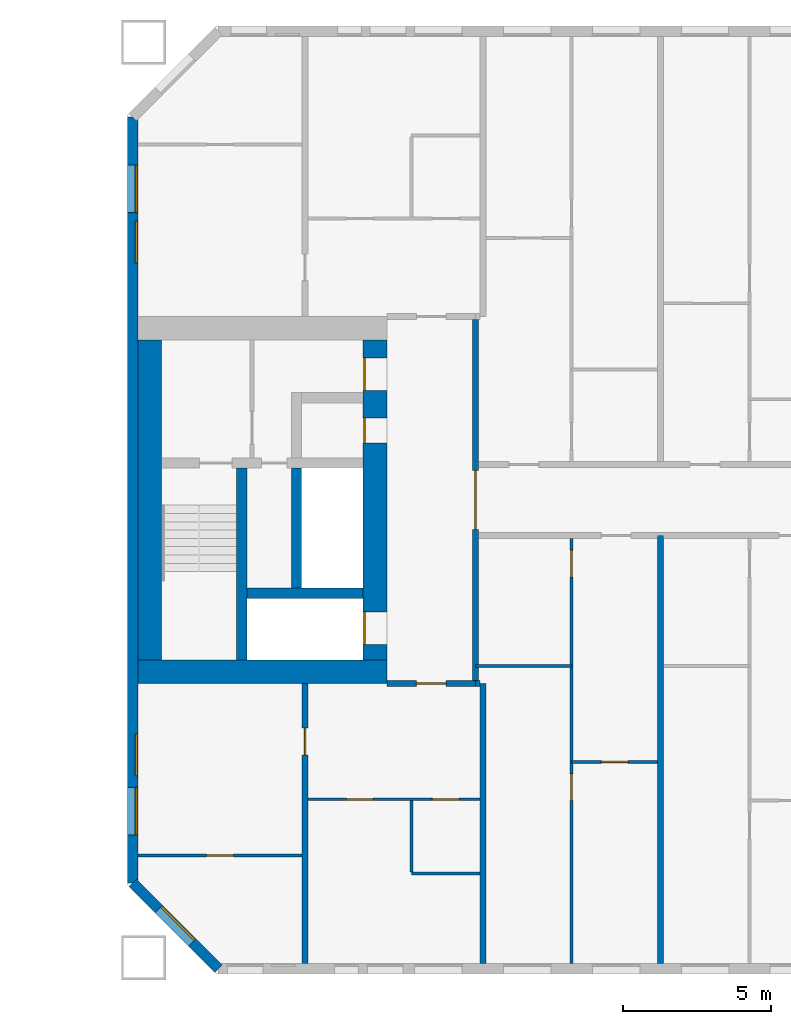
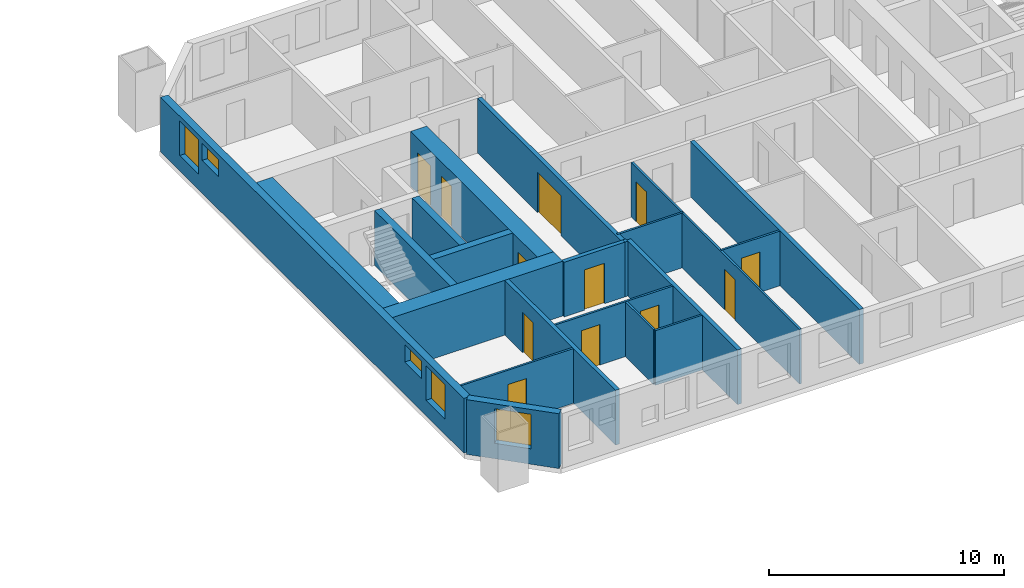
# One storey, part 9 of 17: 21 walls, 12 doors, 5 windows, 17 openings.
"""IFC4 building model written with IfcOpenShell, lengths in metres."""

from ifc_helpers import new_model, si_unit, direction, frame, frame_2d, origin, place, context, subcontext, project, spatial, rectangle, extrude, material, layer, layer_set, type_object, element, fill, save


model = new_model("IFC4")

# Units and contexts
model_context = context("Model", 3, precision=1e-05, world=origin(), true_north=direction((0.0, 1.0)))
body_context = subcontext(model_context, "Body", "Model", "MODEL_VIEW")
ifc_project = project(units=[si_unit("LENGTHUNIT", "METRE"), si_unit("AREAUNIT", "SQUARE_METRE"), si_unit("VOLUMEUNIT", "CUBIC_METRE"), si_unit("PLANEANGLEUNIT", "RADIAN"), si_unit("MASSUNIT", "GRAM", prefix="KILO")], contexts=[model_context])

# Site, building, storey
site_placement = place(None, origin())
site = spatial("IfcSite", under=ifc_project, at=site_placement, CompositionType="ELEMENT")
building_placement = place(site_placement, origin())
building = spatial("IfcBuilding", under=site, at=building_placement, Name="Tuart Gate Housing", CompositionType="ELEMENT")
storey_placement = place(building_placement, frame((0.0, 0.0, 47.39990234375)))
storey = spatial("IfcBuildingStorey", under=building, at=storey_placement, Name="L12", CompositionType="ELEMENT", Elevation=47.39990234375)

# Wall, opening, window
ifc_material_1 = material(Name="Brick", Category="masonry")
ifc_layer_1 = layer(ifc_material_1, 0.360107421875)
ifc_layer_set_1 = layer_set([ifc_layer_1], Name="Brick pier and spandrel wall 360")
wall_type_1 = type_object("IfcWallType", Name="Brick pier and spandrel wall 360", PredefinedType="STANDARD", material=ifc_layer_set_1)
wall_1_placement = place(storey_placement, frame((131.179931640625, 57.07470703125, 0.0), z_axis=(0.0, 0.0, 1.0), x_axis=(0.707106781187, -0.707106781187, 0.0)))
wall_1 = element("IfcWall", 1, at=wall_1_placement, inside=storey, type_object=wall_type_1, Name="External wall B-SW L12", PredefinedType="STANDARD", context=body_context, shape_type="SweptSolid", body=[
    extrude(rectangle(XDim=4.09375, YDim=0.360107421875, at=frame_2d((2.046875, 0.0))), origin(), (0.0, 0.0, 1.0), 2.85009765625),
])
opening_1_placement = place(wall_1_placement, frame((1.2470703125, 0.0, 0.800048828125)))
opening_1 = element("IfcOpeningElement", 2, at=opening_1_placement, cuts=wall_1, Name="Opening W1", PredefinedType="OPENING", context=body_context, shape_type="SweptSolid", body=[
    extrude(rectangle(XDim=1.60009765625, YDim=1.800048828125, at=frame_2d((0.800048828125, 0.89990234375))), frame((0.0, 0.18994140625, 0.0), z_axis=(0.0, -1.0, 0.0), x_axis=(1.0, 0.0, 0.0)), (0.0, 0.0, 1.0), 0.380126953125),
])
ifc_material_2 = material(Name="Aluminium frame with clear glass", Category="aluminium")
window_type_1 = type_object("IfcWindowType", Name="Punched window 1600 x 1800", PartitioningType="SINGLE_PANEL", PredefinedType="WINDOW", material=ifc_material_2)
window_1_placement = place(opening_1_placement, origin())
window_1 = element("IfcWindow", 3, at=window_1_placement, inside=storey, type_object=window_type_1, Name="Window W1", OverallHeight=1.800048828125, OverallWidth=1.60009765625, PartitioningType="SINGLE_PANEL", PredefinedType="WINDOW", context=body_context, shape_type="SweptSolid", body=[
    extrude(rectangle(XDim=1.60009765625, YDim=1.800048828125, at=frame_2d((0.800048828125, 0.89990234375))), frame((0.0, 0.150146484375, 0.0), z_axis=(0.0, -1.0, 0.0), x_axis=(1.0, 0.0, 0.0)), (0.0, 0.0, 1.0), 0.06005859375),
])
fill(opening_1, window_1)

# Wall, openings, windows
wall_2_placement = place(storey_placement, frame((131.179931640625, 82.92529296875, 0.0), z_axis=(0.0, 0.0, 1.0), x_axis=(0.0, -1.0, 0.0)))
wall_2 = element("IfcWall", 4, at=wall_2_placement, inside=storey, type_object=wall_type_1, Name="External wall B-W L12", PredefinedType="STANDARD", context=body_context, shape_type="SweptSolid", body=[
    extrude(rectangle(XDim=25.850830078125, YDim=0.360107421875, at=frame_2d((12.92529296875, 0.0))), origin(), (0.0, 0.0, 1.0), 2.85009765625),
])
opening_2_placement = place(wall_2_placement, frame((1.62548828125, 0.0, 0.800048828125)))
opening_2 = element("IfcOpeningElement", 5, at=opening_2_placement, cuts=wall_2, Name="Opening W1", PredefinedType="OPENING", context=body_context, shape_type="SweptSolid", body=[
    extrude(rectangle(XDim=1.60009765625, YDim=1.800048828125, at=frame_2d((0.800048828125, 0.89990234375))), frame((0.0, 0.18994140625, 0.0), z_axis=(0.0, -1.0, 0.0), x_axis=(1.0, 0.0, 0.0)), (0.0, 0.0, 1.0), 0.380126953125),
])
opening_3_placement = place(wall_2_placement, frame((3.525390625, 0.0, 1.699951171875)))
opening_3 = element("IfcOpeningElement", 6, at=opening_3_placement, cuts=wall_2, Name="Opening W1S", PredefinedType="OPENING", context=body_context, shape_type="SweptSolid", body=[
    extrude(rectangle(XDim=1.39990234375, YDim=0.89990234375, at=frame_2d((0.699951171875, 0.449951171875))), frame((0.0, 0.18994140625, 0.0), z_axis=(0.0, -1.0, 0.0), x_axis=(1.0, 0.0, 0.0)), (0.0, 0.0, 1.0), 0.380126953125),
])
opening_4_placement = place(wall_2_placement, frame((20.825439453125, 0.0, 1.699951171875)))
opening_4 = element("IfcOpeningElement", 7, at=opening_4_placement, cuts=wall_2, Name="Opening W1S", PredefinedType="OPENING", context=body_context, shape_type="SweptSolid", body=[
    extrude(rectangle(XDim=1.39990234375, YDim=0.89990234375, at=frame_2d((0.699951171875, 0.449951171875))), frame((0.0, 0.18994140625, 0.0), z_axis=(0.0, -1.0, 0.0), x_axis=(1.0, 0.0, 0.0)), (0.0, 0.0, 1.0), 0.380126953125),
])
opening_5_placement = place(wall_2_placement, frame((22.62548828125, 0.0, 0.800048828125)))
opening_5 = element("IfcOpeningElement", 8, at=opening_5_placement, cuts=wall_2, Name="Opening W1", PredefinedType="OPENING", context=body_context, shape_type="SweptSolid", body=[
    extrude(rectangle(XDim=1.60009765625, YDim=1.800048828125, at=frame_2d((0.800048828125, 0.89990234375))), frame((0.0, 0.18994140625, 0.0), z_axis=(0.0, -1.0, 0.0), x_axis=(1.0, 0.0, 0.0)), (0.0, 0.0, 1.0), 0.380126953125),
])
ifc_material_3 = material(Name="Aluminium frame with clear glass", Category="aluminium")
window_type_2 = type_object("IfcWindowType", Name="Punched window 1400 x 900", PartitioningType="SINGLE_PANEL", PredefinedType="WINDOW", material=ifc_material_3)
window_2_placement = place(opening_3_placement, origin())
window_2 = element("IfcWindow", 9, at=window_2_placement, inside=storey, type_object=window_type_2, Name="Window W1S", OverallHeight=0.89990234375, OverallWidth=1.39990234375, PartitioningType="SINGLE_PANEL", PredefinedType="WINDOW", context=body_context, shape_type="SweptSolid", body=[
    extrude(rectangle(XDim=1.39990234375, YDim=0.89990234375, at=frame_2d((0.699951171875, 0.449951171875))), frame((0.0, 0.150146484375, 0.0), z_axis=(0.0, -1.0, 0.0), x_axis=(1.0, 0.0, 0.0)), (0.0, 0.0, 1.0), 0.06005859375),
])
fill(opening_3, window_2)
window_3_placement = place(opening_4_placement, origin())
window_3 = element("IfcWindow", 10, at=window_3_placement, inside=storey, type_object=window_type_2, Name="Window W1S", OverallHeight=0.89990234375, OverallWidth=1.39990234375, PartitioningType="SINGLE_PANEL", PredefinedType="WINDOW", context=body_context, shape_type="SweptSolid", body=[
    extrude(rectangle(XDim=1.39990234375, YDim=0.89990234375, at=frame_2d((0.699951171875, 0.449951171875))), frame((0.0, 0.150146484375, 0.0), z_axis=(0.0, -1.0, 0.0), x_axis=(1.0, 0.0, 0.0)), (0.0, 0.0, 1.0), 0.06005859375),
])
fill(opening_4, window_3)
window_4_placement = place(opening_2_placement, origin())
window_4 = element("IfcWindow", 11, at=window_4_placement, inside=storey, type_object=window_type_1, Name="Window W1", OverallHeight=1.800048828125, OverallWidth=1.60009765625, PartitioningType="SINGLE_PANEL", PredefinedType="WINDOW", context=body_context, shape_type="SweptSolid", body=[
    extrude(rectangle(XDim=1.60009765625, YDim=1.800048828125, at=frame_2d((0.800048828125, 0.89990234375))), frame((0.0, 0.150146484375, 0.0), z_axis=(0.0, -1.0, 0.0), x_axis=(1.0, 0.0, 0.0)), (0.0, 0.0, 1.0), 0.06005859375),
])
fill(opening_2, window_4)
window_5_placement = place(opening_5_placement, origin())
window_5 = element("IfcWindow", 12, at=window_5_placement, inside=storey, type_object=window_type_1, Name="Window W1", OverallHeight=1.800048828125, OverallWidth=1.60009765625, PartitioningType="SINGLE_PANEL", PredefinedType="WINDOW", context=body_context, shape_type="SweptSolid", body=[
    extrude(rectangle(XDim=1.60009765625, YDim=1.800048828125, at=frame_2d((0.800048828125, 0.89990234375))), frame((0.0, 0.150146484375, 0.0), z_axis=(0.0, -1.0, 0.0), x_axis=(1.0, 0.0, 0.0)), (0.0, 0.0, 1.0), 0.06005859375),
])
fill(opening_5, window_5)

# Walls
ifc_material_4 = material(Name="Concrete C60", Category="concrete")
ifc_layer_2 = layer(ifc_material_4, 0.35009765625)
ifc_layer_set_2 = layer_set([ifc_layer_2], Name="Core wall 350 C60")
wall_type_2 = type_object("IfcWallType", Name="Core wall 350 C60", PredefinedType="SHEAR", material=ifc_layer_set_2)
wall_3_placement = place(storey_placement, frame((138.9599609375, 66.85009765625, 0.0), z_axis=(0.0, 0.0, 1.0), x_axis=(-1.0, 0.0, 0.0)))
element("IfcWall", 13, at=wall_3_placement, inside=storey, type_object=wall_type_2, Name="Core wall BG.1", PredefinedType="SHEAR", context=body_context, shape_type="SweptSolid", body=[
    extrude(rectangle(XDim=3.925048828125, YDim=0.35009765625, at=frame_2d((1.96240234375, 0.0))), origin(), (0.0, 0.0, 1.0), 2.85009765625),
])
wall_4_placement = place(storey_placement, frame((136.7099609375, 67.02490234375, 0.0), z_axis=(0.0, 0.0, 1.0), x_axis=(0.0, 1.0, 0.0)))
element("IfcWall", 14, at=wall_4_placement, inside=storey, type_object=wall_type_2, Name="Core wall BG.4", PredefinedType="SHEAR", context=body_context, shape_type="SweptSolid", body=[
    extrude(rectangle(XDim=4.050048828125, YDim=0.35009765625, at=frame_2d((2.02490234375, 0.0))), origin(), (0.0, 0.0, 1.0), 2.85009765625),
])
wall_5_placement = place(storey_placement, frame((134.860107421875, 64.60009765625, 0.0), z_axis=(0.0, 0.0, 1.0), x_axis=(0.0, 1.0, 0.0)))
element("IfcWall", 15, at=wall_5_placement, inside=storey, type_object=wall_type_2, Name="Core wall BG.7", PredefinedType="SHEAR", context=body_context, shape_type="SweptSolid", body=[
    extrude(rectangle(XDim=6.474853515625, YDim=0.35009765625, at=frame_2d((3.2373046875, 0.0))), origin(), (0.0, 0.0, 1.0), 2.85009765625),
])

# Wall, openings, doors
ifc_material_5 = material(Name="Concrete C60", Category="concrete")
ifc_layer_3 = layer(ifc_material_5, 0.800048828125)
ifc_layer_set_3 = layer_set([ifc_layer_3], Name="Core wall 800 C60")
wall_type_3 = type_object("IfcWallType", Name="Core wall 800 C60", PredefinedType="SHEAR", material=ifc_layer_set_3)
wall_6_placement = place(storey_placement, frame((139.360107421875, 64.60009765625, 0.0), z_axis=(0.0, 0.0, 1.0), x_axis=(0.0, 1.0, 0.0)))
wall_6 = element("IfcWall", 16, at=wall_6_placement, inside=storey, type_object=wall_type_3, Name="Core wall BG front", PredefinedType="SHEAR", context=body_context, shape_type="SweptSolid", body=[
    extrude(rectangle(XDim=10.7998046875, YDim=0.800048828125, at=frame_2d((5.39990234375, 0.0))), origin(), (0.0, 0.0, 1.0), 2.85009765625),
])
opening_6_placement = place(wall_6_placement, frame((0.52490234375, 0.0, 0.0)))
opening_6 = element("IfcOpeningElement", 17, at=opening_6_placement, cuts=wall_6, Name="Opening LD-FB1", PredefinedType="OPENING", context=body_context, shape_type="SweptSolid", body=[
    extrude(rectangle(XDim=1.10009765625, YDim=2.10009765625, at=frame_2d((0.550048828125, 1.050048828125))), frame((0.0, 0.409912109375, 0.0), z_axis=(0.0, -1.0, 0.0), x_axis=(1.0, 0.0, 0.0)), (0.0, 0.0, 1.0), 0.820068359375),
])
opening_7_placement = place(wall_6_placement, frame((9.10009765625, 0.0, 0.0)))
opening_7 = element("IfcOpeningElement", 18, at=opening_7_placement, cuts=wall_6, Name="Opening D682", PredefinedType="OPENING", context=body_context, shape_type="SweptSolid", body=[
    extrude(rectangle(XDim=1.10009765625, YDim=2.10009765625, at=frame_2d((0.550048828125, 1.050048828125))), frame((0.0, 0.409912109375, 0.0), z_axis=(0.0, -1.0, 0.0), x_axis=(1.0, 0.0, 0.0)), (0.0, 0.0, 1.0), 0.820068359375),
])
opening_8_placement = place(wall_6_placement, frame((7.324951171875, 0.0, 0.0)))
opening_8 = element("IfcOpeningElement", 19, at=opening_8_placement, cuts=wall_6, Name="Opening D683", PredefinedType="OPENING", context=body_context, shape_type="SweptSolid", body=[
    extrude(rectangle(XDim=0.85009765625, YDim=2.10009765625, at=frame_2d((0.425048828125, 1.050048828125))), frame((0.0, 0.409912109375, 0.0), z_axis=(0.0, -1.0, 0.0), x_axis=(1.0, 0.0, 0.0)), (0.0, 0.0, 1.0), 0.820068359375),
])
ifc_material_6 = material(Name="Stainless steel", Category="steel")
door_type_1 = type_object("IfcDoorType", Name="Landing door 1100 x 2100", OperationType="DOUBLE_DOOR_SLIDING", PredefinedType="DOOR", material=ifc_material_6)
door_1_placement = place(opening_6_placement, origin())
door_1 = element("IfcDoor", 20, at=door_1_placement, inside=storey, type_object=door_type_1, Name="Lift landing door FB1", OperationType="DOUBLE_DOOR_SLIDING", OverallHeight=2.10009765625, OverallWidth=1.10009765625, PredefinedType="DOOR", context=body_context, shape_type="SweptSolid", body=[
    extrude(rectangle(XDim=1.10009765625, YDim=2.10009765625, at=frame_2d((0.550048828125, 1.050048828125))), frame((0.0, 0.38525390625, 0.0), z_axis=(0.0, -1.0, 0.0), x_axis=(1.0, 0.0, 0.0)), (0.0, 0.0, 1.0), 0.050048828125),
])
fill(opening_6, door_1)
ifc_material_7 = material(Name="Steel fire door", Category="steel")
door_type_2 = type_object("IfcDoorType", Name="Lobby door 1100 x 2100", OperationType="SINGLE_SWING_LEFT", PredefinedType="DOOR", material=ifc_material_7)
door_2_placement = place(opening_7_placement, origin())
door_2 = element("IfcDoor", 21, at=door_2_placement, inside=storey, type_object=door_type_2, Name="Lobby entry door BG.EN", OperationType="SINGLE_SWING_LEFT", OverallHeight=2.10009765625, OverallWidth=1.10009765625, PredefinedType="DOOR", context=body_context, shape_type="SweptSolid", body=[
    extrude(rectangle(XDim=1.10009765625, YDim=2.10009765625, at=frame_2d((0.550048828125, 1.050048828125))), frame((0.0, 0.38525390625, 0.0), z_axis=(0.0, -1.0, 0.0), x_axis=(1.0, 0.0, 0.0)), (0.0, 0.0, 1.0), 0.050048828125),
])
fill(opening_7, door_2)
ifc_material_8 = material(Name="Steel fire door", Category="steel")
door_type_3 = type_object("IfcDoorType", Name="Service door 850 x 2100", OperationType="SINGLE_SWING_LEFT", PredefinedType="DOOR", material=ifc_material_8)
door_3_placement = place(opening_8_placement, origin())
door_3 = element("IfcDoor", 22, at=door_3_placement, inside=storey, type_object=door_type_3, Name="Service room door BG.T1", OperationType="SINGLE_SWING_LEFT", OverallHeight=2.10009765625, OverallWidth=0.85009765625, PredefinedType="DOOR", context=body_context, shape_type="SweptSolid", body=[
    extrude(rectangle(XDim=0.85009765625, YDim=2.10009765625, at=frame_2d((0.425048828125, 1.050048828125))), frame((0.0, 0.38525390625, 0.0), z_axis=(0.0, -1.0, 0.0), x_axis=(1.0, 0.0, 0.0)), (0.0, 0.0, 1.0), 0.050048828125),
])
fill(opening_8, door_3)

# Walls
wall_7_placement = place(storey_placement, frame((131.760009765625, 64.60009765625, 0.0), z_axis=(0.0, 0.0, 1.0), x_axis=(0.0, 1.0, 0.0)))
element("IfcWall", 23, at=wall_7_placement, inside=storey, type_object=wall_type_3, Name="Core wall BG back", PredefinedType="SHEAR", context=body_context, shape_type="SweptSolid", body=[
    extrude(rectangle(XDim=10.7998046875, YDim=0.800048828125, at=frame_2d((5.39990234375, 0.0))), origin(), (0.0, 0.0, 1.0), 2.85009765625),
])
wall_8_placement = place(storey_placement, frame((139.760009765625, 64.199951171875, 0.0), z_axis=(0.0, 0.0, 1.0), x_axis=(-1.0, 0.0, 0.0)))
element("IfcWall", 24, at=wall_8_placement, inside=storey, type_object=wall_type_3, Name="Core wall BG south", PredefinedType="SHEAR", context=body_context, shape_type="SweptSolid", body=[
    extrude(rectangle(XDim=8.39990234375, YDim=0.800048828125, at=frame_2d((4.199951171875, 0.0))), origin(), (0.0, 0.0, 1.0), 2.85009765625),
])

# Wall, opening, door
ifc_material_9 = material(Name="Concrete masonry 15 MPa", Category="masonry")
ifc_layer_4 = layer(ifc_material_9, 0.199951171875)
ifc_layer_set_4 = layer_set([ifc_layer_4], Name="Enclosure wall masonry 200")
wall_type_4 = type_object("IfcWallType", Name="Enclosure wall masonry 200", PredefinedType="PARTITIONING", material=ifc_layer_set_4)
wall_9_placement = place(storey_placement, frame((139.760009765625, 63.800048828125, 0.0), z_axis=(0.0, 0.0, 1.0), x_axis=(1.0, 0.0, 0.0)))
wall_9 = element("IfcWall", 25, at=wall_9_placement, inside=storey, type_object=wall_type_4, Name="Enclosure wall masonry 200", PredefinedType="PARTITIONING", context=body_context, shape_type="SweptSolid", body=[
    extrude(rectangle(XDim=3.0, YDim=0.199951171875, at=frame_2d((1.5, 0.0))), origin(), (0.0, 0.0, 1.0), 2.85009765625),
])
opening_9_placement = place(wall_9_placement, frame((1.0, 0.0, 0.0)))
opening_9 = element("IfcOpeningElement", 26, at=opening_9_placement, cuts=wall_9, Name="Opening D694", PredefinedType="OPENING", context=body_context, shape_type="SweptSolid", body=[
    extrude(rectangle(XDim=1.0, YDim=2.10009765625, at=frame_2d((0.5, 1.050048828125))), frame((0.0, 0.10986328125, 0.0), z_axis=(0.0, -1.0, 0.0), x_axis=(1.0, 0.0, 0.0)), (0.0, 0.0, 1.0), 0.219970703125),
])
ifc_material_10 = material(Name="Timber door leaf in steel frame", Category="steel")
door_type_4 = type_object("IfcDoorType", Name="Flat entrance door 1000", OperationType="SINGLE_SWING_LEFT", PredefinedType="DOOR", material=ifc_material_10)
door_4_placement = place(opening_9_placement, frame((1.0, 0.0, 0.0), z_axis=(0.0, 0.0, 1.0), x_axis=(-1.0, 0.0, 0.0)))
door_4 = element("IfcDoor", 27, at=door_4_placement, inside=storey, type_object=door_type_4, Name="Flat entrance door", OperationType="SINGLE_SWING_LEFT", OverallHeight=2.10009765625, OverallWidth=1.0, PredefinedType="DOOR", context=body_context, shape_type="SweptSolid", body=[
    extrude(rectangle(XDim=1.0, YDim=2.10009765625, at=frame_2d((0.5, 1.050048828125))), frame((0.0, 0.025146484375, 0.0), z_axis=(0.0, -1.0, 0.0), x_axis=(1.0, 0.0, 0.0)), (0.0, 0.0, 1.0), 0.050048828125),
])
fill(opening_9, door_4)

ifc_material_11 = material(Name="Plasterboard partition")
ifc_layer_5 = layer(ifc_material_11, 0.199951171875)
ifc_layer_set_5 = layer_set([ifc_layer_5], Name="Lobby wall 200")
wall_type_5 = type_object("IfcWallType", Name="Lobby wall 200", PredefinedType="PARTITIONING", material=ifc_layer_set_5)
wall_10_placement = place(storey_placement, frame((142.760009765625, 63.89990234375, 0.0), z_axis=(0.0, 0.0, 1.0), x_axis=(0.0, 1.0, 0.0)))
wall_10 = element("IfcWall", 28, at=wall_10_placement, inside=storey, type_object=wall_type_5, Name="Lift lobby wall BG", PredefinedType="PARTITIONING", context=body_context, shape_type="SweptSolid", body=[
    extrude(rectangle(XDim=12.2001953125, YDim=0.199951171875, at=frame_2d((6.10009765625, 0.0))), origin(), (0.0, 0.0, 1.0), 2.85009765625),
])
opening_10_placement = place(wall_10_placement, frame((5.10009765625, 0.0, 0.0)))
opening_10 = element("IfcOpeningElement", 29, at=opening_10_placement, cuts=wall_10, Name="Opening D684", PredefinedType="OPENING", context=body_context, shape_type="SweptSolid", body=[
    extrude(rectangle(XDim=2.0, YDim=2.10009765625, at=frame_2d((1.0, 1.050048828125))), frame((0.0, 0.10986328125, 0.0), z_axis=(0.0, -1.0, 0.0), x_axis=(1.0, 0.0, 0.0)), (0.0, 0.0, 1.0), 0.219970703125),
])
ifc_material_12 = material(Name="Steel fire door", Category="steel")
door_type_5 = type_object("IfcDoorType", Name="Smoke door 2000 x 2100", OperationType="DOUBLE_DOOR_SINGLE_SWING", PredefinedType="DOOR", material=ifc_material_12)
door_5_placement = place(opening_10_placement, origin())
door_5 = element("IfcDoor", 30, at=door_5_placement, inside=storey, type_object=door_type_5, Name="Lift lobby smoke door BG", OperationType="DOUBLE_DOOR_SINGLE_SWING", OverallHeight=2.10009765625, OverallWidth=2.0, PredefinedType="DOOR", context=body_context, shape_type="SweptSolid", body=[
    extrude(rectangle(XDim=2.0, YDim=2.10009765625, at=frame_2d((1.0, 1.050048828125))), frame((0.0, 0.02490234375, 0.0), z_axis=(0.0, -1.0, 0.0), x_axis=(1.0, 0.0, 0.0)), (0.0, 0.0, 1.0), 0.050048828125),
])
fill(opening_10, door_5)

# Wall
ifc_material_13 = material(Name="Gypsum board on steel studs", Category="steel")
ifc_layer_6 = layer(ifc_material_13, 0.10009765625)
ifc_layer_set_6 = layer_set([ifc_layer_6], Name="Partition 100")
wall_type_6 = type_object("IfcWallType", Name="Partition 100", PredefinedType="PARTITIONING", material=ifc_layer_set_6)
wall_11_placement = place(storey_placement, frame((140.60009765625, 57.39990234375, 0.0), z_axis=(0.0, 0.0, 1.0), x_axis=(1.0, 0.0, 0.0)))
element("IfcWall", 31, at=wall_11_placement, inside=storey, type_object=wall_type_6, Name="Partition 100", PredefinedType="PARTITIONING", context=body_context, shape_type="SweptSolid", body=[
    extrude(rectangle(XDim=2.2998046875, YDim=0.10009765625, at=frame_2d((1.14990234375, 0.0))), origin(), (0.0, 0.0, 1.0), 2.85009765625),
])

# Wall, opening, door
wall_12_placement = place(storey_placement, frame((131.360107421875, 58.0, 0.0), z_axis=(0.0, 0.0, 1.0), x_axis=(1.0, 0.0, 0.0)))
wall_12 = element("IfcWall", 32, at=wall_12_placement, inside=storey, type_object=wall_type_6, Name="Partition 100", PredefinedType="PARTITIONING", context=body_context, shape_type="SweptSolid", body=[
    extrude(rectangle(XDim=5.539794921875, YDim=0.10009765625, at=frame_2d((2.77001953125, 0.0))), origin(), (0.0, 0.0, 1.0), 2.85009765625),
])
opening_11_placement = place(wall_12_placement, frame((2.320068359375, 0.0, 0.0)))
opening_11 = element("IfcOpeningElement", 33, at=opening_11_placement, cuts=wall_12, Name="Opening D707", PredefinedType="OPENING", context=body_context, shape_type="SweptSolid", body=[
    extrude(rectangle(XDim=0.89990234375, YDim=2.10009765625, at=frame_2d((0.449951171875, 1.050048828125))), frame((0.0, 0.06005859375, 0.0), z_axis=(0.0, -1.0, 0.0), x_axis=(1.0, 0.0, 0.0)), (0.0, 0.0, 1.0), 0.1201171875),
])
ifc_material_14 = material(Name="Timber door leaf in steel frame", Category="steel")
door_type_6 = type_object("IfcDoorType", Name="Internal door 900 RH", OperationType="SINGLE_SWING_RIGHT", PredefinedType="DOOR", material=ifc_material_14)
door_6_placement = place(opening_11_placement, frame((0.89990234375, 0.0, 0.0), z_axis=(0.0, 0.0, 1.0), x_axis=(-1.0, 0.0, 0.0)))
door_6 = element("IfcDoor", 34, at=door_6_placement, inside=storey, type_object=door_type_6, Name="Internal door", OperationType="SINGLE_SWING_RIGHT", OverallHeight=2.10009765625, OverallWidth=0.89990234375, PredefinedType="DOOR", context=body_context, shape_type="SweptSolid", body=[
    extrude(rectangle(XDim=0.89990234375, YDim=2.10009765625, at=frame_2d((0.449951171875, 1.050048828125))), frame((0.0, 0.025146484375, 0.0), z_axis=(0.0, -1.0, 0.0), x_axis=(1.0, 0.0, 0.0)), (0.0, 0.0, 1.0), 0.050048828125),
])
fill(opening_11, door_6)

# Wall, openings, doors
wall_13_placement = place(storey_placement, frame((137.10009765625, 59.89990234375, 0.0), z_axis=(0.0, 0.0, 1.0), x_axis=(1.0, 0.0, 0.0)))
wall_13 = element("IfcWall", 35, at=wall_13_placement, inside=storey, type_object=wall_type_6, Name="Partition 100", PredefinedType="PARTITIONING", context=body_context, shape_type="SweptSolid", body=[
    extrude(rectangle(XDim=5.7998046875, YDim=0.10009765625, at=frame_2d((2.89990234375, 0.0))), origin(), (0.0, 0.0, 1.0), 2.85009765625),
])
opening_12_placement = place(wall_13_placement, frame((1.300048828125, 0.0, 0.0)))
opening_12 = element("IfcOpeningElement", 36, at=opening_12_placement, cuts=wall_13, Name="Opening D704", PredefinedType="OPENING", context=body_context, shape_type="SweptSolid", body=[
    extrude(rectangle(XDim=0.89990234375, YDim=2.10009765625, at=frame_2d((0.449951171875, 1.050048828125))), frame((0.0, 0.06005859375, 0.0), z_axis=(0.0, -1.0, 0.0), x_axis=(1.0, 0.0, 0.0)), (0.0, 0.0, 1.0), 0.1201171875),
])
opening_13_placement = place(wall_13_placement, frame((4.199951171875, 0.0, 0.0)))
opening_13 = element("IfcOpeningElement", 37, at=opening_13_placement, cuts=wall_13, Name="Opening D703", PredefinedType="OPENING", context=body_context, shape_type="SweptSolid", body=[
    extrude(rectangle(XDim=0.89990234375, YDim=2.10009765625, at=frame_2d((0.449951171875, 1.050048828125))), frame((0.0, 0.06005859375, 0.0), z_axis=(0.0, -1.0, 0.0), x_axis=(1.0, 0.0, 0.0)), (0.0, 0.0, 1.0), 0.1201171875),
])
ifc_material_15 = material(Name="Timber door leaf in steel frame", Category="steel")
door_type_7 = type_object("IfcDoorType", Name="Bathroom door 900 RH", OperationType="SINGLE_SWING_RIGHT", PredefinedType="DOOR", material=ifc_material_15)
door_7_placement = place(opening_13_placement, frame((0.89990234375, 0.0, 0.0), z_axis=(0.0, 0.0, 1.0), x_axis=(-1.0, 0.0, 0.0)))
door_7 = element("IfcDoor", 38, at=door_7_placement, inside=storey, type_object=door_type_7, Name="Bathroom door", OperationType="SINGLE_SWING_RIGHT", OverallHeight=2.10009765625, OverallWidth=0.89990234375, PredefinedType="DOOR", context=body_context, shape_type="SweptSolid", body=[
    extrude(rectangle(XDim=0.89990234375, YDim=2.10009765625, at=frame_2d((0.449951171875, 1.050048828125))), frame((0.0, 0.025146484375, 0.0), z_axis=(0.0, -1.0, 0.0), x_axis=(1.0, 0.0, 0.0)), (0.0, 0.0, 1.0), 0.050048828125),
])
fill(opening_13, door_7)
ifc_material_16 = material(Name="Timber door leaf in steel frame", Category="steel")
door_type_8 = type_object("IfcDoorType", Name="Internal door 900", OperationType="SINGLE_SWING_LEFT", PredefinedType="DOOR", material=ifc_material_16)
door_8_placement = place(opening_12_placement, frame((0.89990234375, 0.0, 0.0), z_axis=(0.0, 0.0, 1.0), x_axis=(-1.0, 0.0, 0.0)))
door_8 = element("IfcDoor", 39, at=door_8_placement, inside=storey, type_object=door_type_8, Name="Internal door", OperationType="SINGLE_SWING_LEFT", OverallHeight=2.10009765625, OverallWidth=0.89990234375, PredefinedType="DOOR", context=body_context, shape_type="SweptSolid", body=[
    extrude(rectangle(XDim=0.89990234375, YDim=2.10009765625, at=frame_2d((0.449951171875, 1.050048828125))), frame((0.0, 0.025146484375, 0.0), z_axis=(0.0, -1.0, 0.0), x_axis=(1.0, 0.0, 0.0)), (0.0, 0.0, 1.0), 0.050048828125),
])
fill(opening_12, door_8)

# Wall, opening, door
wall_14_placement = place(storey_placement, frame((146.0, 61.159912109375, 0.0), z_axis=(0.0, 0.0, 1.0), x_axis=(1.0, 0.0, 0.0)))
wall_14 = element("IfcWall", 40, at=wall_14_placement, inside=storey, type_object=wall_type_6, Name="Partition 100", PredefinedType="PARTITIONING", context=body_context, shape_type="SweptSolid", body=[
    extrude(rectangle(XDim=2.89990234375, YDim=0.10009765625, at=frame_2d((1.449951171875, 0.0))), origin(), (0.0, 0.0, 1.0), 2.85009765625),
])
opening_14_placement = place(wall_14_placement, frame((1.0, 0.0, 0.0)))
opening_14 = element("IfcOpeningElement", 41, at=opening_14_placement, cuts=wall_14, Name="Opening D702", PredefinedType="OPENING", context=body_context, shape_type="SweptSolid", body=[
    extrude(rectangle(XDim=0.89990234375, YDim=2.10009765625, at=frame_2d((0.449951171875, 1.050048828125))), frame((0.0, 0.06005859375, 0.0), z_axis=(0.0, -1.0, 0.0), x_axis=(1.0, 0.0, 0.0)), (0.0, 0.0, 1.0), 0.1201171875),
])
door_9_placement = place(opening_14_placement, origin())
door_9 = element("IfcDoor", 42, at=door_9_placement, inside=storey, type_object=door_type_8, Name="Internal door", OperationType="SINGLE_SWING_LEFT", OverallHeight=2.10009765625, OverallWidth=0.89990234375, PredefinedType="DOOR", context=body_context, shape_type="SweptSolid", body=[
    extrude(rectangle(XDim=0.89990234375, YDim=2.10009765625, at=frame_2d((0.449951171875, 1.050048828125))), frame((0.0, 0.02490234375, 0.0), z_axis=(0.0, -1.0, 0.0), x_axis=(1.0, 0.0, 0.0)), (0.0, 0.0, 1.0), 0.050048828125),
])
fill(opening_14, door_9)

# Walls
wall_15_placement = place(storey_placement, frame((142.760009765625, 64.39990234375, 0.0), z_axis=(0.0, 0.0, 1.0), x_axis=(1.0, 0.0, 0.0)))
element("IfcWall", 43, at=wall_15_placement, inside=storey, type_object=wall_type_6, Name="Partition 100", PredefinedType="PARTITIONING", context=body_context, shape_type="SweptSolid", body=[
    extrude(rectangle(XDim=3.239990234375, YDim=0.10009765625, at=frame_2d((1.6201171875, 0.0))), origin(), (0.0, 0.0, 1.0), 2.85009765625),
])
wall_16_placement = place(storey_placement, frame((140.60009765625, 57.449951171875, 0.0), z_axis=(0.0, 0.0, 1.0), x_axis=(0.0, 1.0, 0.0)))
element("IfcWall", 44, at=wall_16_placement, inside=storey, type_object=wall_type_6, Name="Partition 100", PredefinedType="PARTITIONING", context=body_context, shape_type="SweptSolid", body=[
    extrude(rectangle(XDim=2.400146484375, YDim=0.10009765625, at=frame_2d((1.2001953125, 0.0))), origin(), (0.0, 0.0, 1.0), 2.85009765625),
])

# Wall, openings, doors
wall_17_placement = place(storey_placement, frame((146.0, 54.360107421875, 0.0), z_axis=(0.0, 0.0, 1.0), x_axis=(0.0, 1.0, 0.0)))
wall_17 = element("IfcWall", 45, at=wall_17_placement, inside=storey, type_object=wall_type_6, Name="Partition 100", PredefinedType="PARTITIONING", context=body_context, shape_type="SweptSolid", body=[
    extrude(rectangle(XDim=14.33984375, YDim=0.10009765625, at=frame_2d((7.169921875, 0.0))), origin(), (0.0, 0.0, 1.0), 2.85009765625),
])
opening_15_placement = place(wall_17_placement, frame((5.5, 0.0, 0.0)))
opening_15 = element("IfcOpeningElement", 46, at=opening_15_placement, cuts=wall_17, Name="Opening D697", PredefinedType="OPENING", context=body_context, shape_type="SweptSolid", body=[
    extrude(rectangle(XDim=0.89990234375, YDim=2.10009765625, at=frame_2d((0.449951171875, 1.050048828125))), frame((0.0, 0.06005859375, 0.0), z_axis=(0.0, -1.0, 0.0), x_axis=(1.0, 0.0, 0.0)), (0.0, 0.0, 1.0), 0.1201171875),
])
opening_16_placement = place(wall_17_placement, frame((13.0400390625, 0.0, 0.0)))
opening_16 = element("IfcOpeningElement", 47, at=opening_16_placement, cuts=wall_17, Name="Opening D696", PredefinedType="OPENING", context=body_context, shape_type="SweptSolid", body=[
    extrude(rectangle(XDim=0.89990234375, YDim=2.10009765625, at=frame_2d((0.449951171875, 1.050048828125))), frame((0.0, 0.06005859375, 0.0), z_axis=(0.0, -1.0, 0.0), x_axis=(1.0, 0.0, 0.0)), (0.0, 0.0, 1.0), 0.1201171875),
])
door_10_placement = place(opening_16_placement, origin())
door_10 = element("IfcDoor", 48, at=door_10_placement, inside=storey, type_object=door_type_7, Name="Bathroom door", OperationType="SINGLE_SWING_RIGHT", OverallHeight=2.10009765625, OverallWidth=0.89990234375, PredefinedType="DOOR", context=body_context, shape_type="SweptSolid", body=[
    extrude(rectangle(XDim=0.89990234375, YDim=2.10009765625, at=frame_2d((0.449951171875, 1.050048828125))), frame((0.0, 0.02490234375, 0.0), z_axis=(0.0, -1.0, 0.0), x_axis=(1.0, 0.0, 0.0)), (0.0, 0.0, 1.0), 0.050048828125),
])
fill(opening_16, door_10)
door_11_placement = place(opening_15_placement, origin())
door_11 = element("IfcDoor", 49, at=door_11_placement, inside=storey, type_object=door_type_6, Name="Internal door", OperationType="SINGLE_SWING_RIGHT", OverallHeight=2.10009765625, OverallWidth=0.89990234375, PredefinedType="DOOR", context=body_context, shape_type="SweptSolid", body=[
    extrude(rectangle(XDim=0.89990234375, YDim=2.10009765625, at=frame_2d((0.449951171875, 1.050048828125))), frame((0.0, 0.02490234375, 0.0), z_axis=(0.0, -1.0, 0.0), x_axis=(1.0, 0.0, 0.0)), (0.0, 0.0, 1.0), 0.050048828125),
])
fill(opening_15, door_11)

# Wall, opening, door
ifc_material_17 = material(Name="Concrete C40", Category="concrete")
ifc_layer_7 = layer(ifc_material_17, 0.199951171875)
ifc_layer_set_7 = layer_set([ifc_layer_7], Name="Party wall concrete C40 200")
wall_type_7 = type_object("IfcWallType", Name="Party wall concrete C40 200", PredefinedType="SOLIDWALL", material=ifc_layer_set_7)
wall_18_placement = place(storey_placement, frame((137.0, 54.360107421875, 0.0), z_axis=(0.0, 0.0, 1.0), x_axis=(0.0, 1.0, 0.0)))
wall_18 = element("IfcWall", 50, at=wall_18_placement, inside=storey, type_object=wall_type_7, Name="Party wall concrete C40 200", PredefinedType="SOLIDWALL", context=body_context, shape_type="SweptSolid", body=[
    extrude(rectangle(XDim=9.43994140625, YDim=0.199951171875, at=frame_2d((4.719970703125, 0.0))), origin(), (0.0, 0.0, 1.0), 2.85009765625),
])
opening_17_placement = place(wall_18_placement, frame((7.0400390625, 0.0, 0.0)))
opening_17 = element("IfcOpeningElement", 51, at=opening_17_placement, cuts=wall_18, Name="Opening D706", PredefinedType="OPENING", context=body_context, shape_type="SweptSolid", body=[
    extrude(rectangle(XDim=0.89990234375, YDim=2.10009765625, at=frame_2d((0.449951171875, 1.050048828125))), frame((0.0, 0.10986328125, 0.0), z_axis=(0.0, -1.0, 0.0), x_axis=(1.0, 0.0, 0.0)), (0.0, 0.0, 1.0), 0.219970703125),
])
door_12_placement = place(opening_17_placement, frame((0.89990234375, 0.0, 0.0), z_axis=(0.0, 0.0, 1.0), x_axis=(-1.0, 0.0, 0.0)))
door_12 = element("IfcDoor", 52, at=door_12_placement, inside=storey, type_object=door_type_6, Name="Internal door", OperationType="SINGLE_SWING_RIGHT", OverallHeight=2.10009765625, OverallWidth=0.89990234375, PredefinedType="DOOR", context=body_context, shape_type="SweptSolid", body=[
    extrude(rectangle(XDim=0.89990234375, YDim=2.10009765625, at=frame_2d((0.449951171875, 1.050048828125))), frame((0.0, 0.025146484375, 0.0), z_axis=(0.0, -1.0, 0.0), x_axis=(1.0, 0.0, 0.0)), (0.0, 0.0, 1.0), 0.050048828125),
])
fill(opening_17, door_12)

# Walls
wall_19_placement = place(storey_placement, frame((143.0, 54.360107421875, 0.0), z_axis=(0.0, 0.0, 1.0), x_axis=(0.0, 1.0, 0.0)))
element("IfcWall", 53, at=wall_19_placement, inside=storey, type_object=wall_type_7, Name="Party wall concrete C40 200", PredefinedType="SOLIDWALL", context=body_context, shape_type="SweptSolid", body=[
    extrude(rectangle(XDim=9.43994140625, YDim=0.199951171875, at=frame_2d((4.719970703125, 0.0))), origin(), (0.0, 0.0, 1.0), 2.85009765625),
])
wall_20_placement = place(storey_placement, frame((149.0, 54.360107421875, 0.0), z_axis=(0.0, 0.0, 1.0), x_axis=(0.0, 1.0, 0.0)))
element("IfcWall", 54, at=wall_20_placement, inside=storey, type_object=wall_type_7, Name="Party wall concrete C40 200", PredefinedType="SOLIDWALL", context=body_context, shape_type="SweptSolid", body=[
    extrude(rectangle(XDim=14.43994140625, YDim=0.199951171875, at=frame_2d((7.219970703125, 0.0))), origin(), (0.0, 0.0, 1.0), 2.85009765625),
])
ifc_material_18 = material(Name="Concrete masonry 15 MPa", Category="masonry")
ifc_layer_8 = layer(ifc_material_18, 0.199951171875)
ifc_layer_set_8 = layer_set([ifc_layer_8], Name="Party wall masonry 200")
wall_type_8 = type_object("IfcWallType", Name="Party wall masonry 200", PredefinedType="PARTITIONING", material=ifc_layer_set_8)
wall_21_placement = place(storey_placement, frame((142.760009765625, 63.800048828125, 0.0), z_axis=(0.0, 0.0, 1.0), x_axis=(1.0, 0.0, 0.0)))
element("IfcWall", 55, at=wall_21_placement, inside=storey, type_object=wall_type_8, Name="Party wall masonry 200", PredefinedType="PARTITIONING", context=body_context, shape_type="SweptSolid", body=[
    extrude(rectangle(XDim=0.139892578125, YDim=0.199951171875, at=frame_2d((0.06982421875, 0.0))), origin(), (0.0, 0.0, 1.0), 2.85009765625),
])

save(model, "model.ifc")
